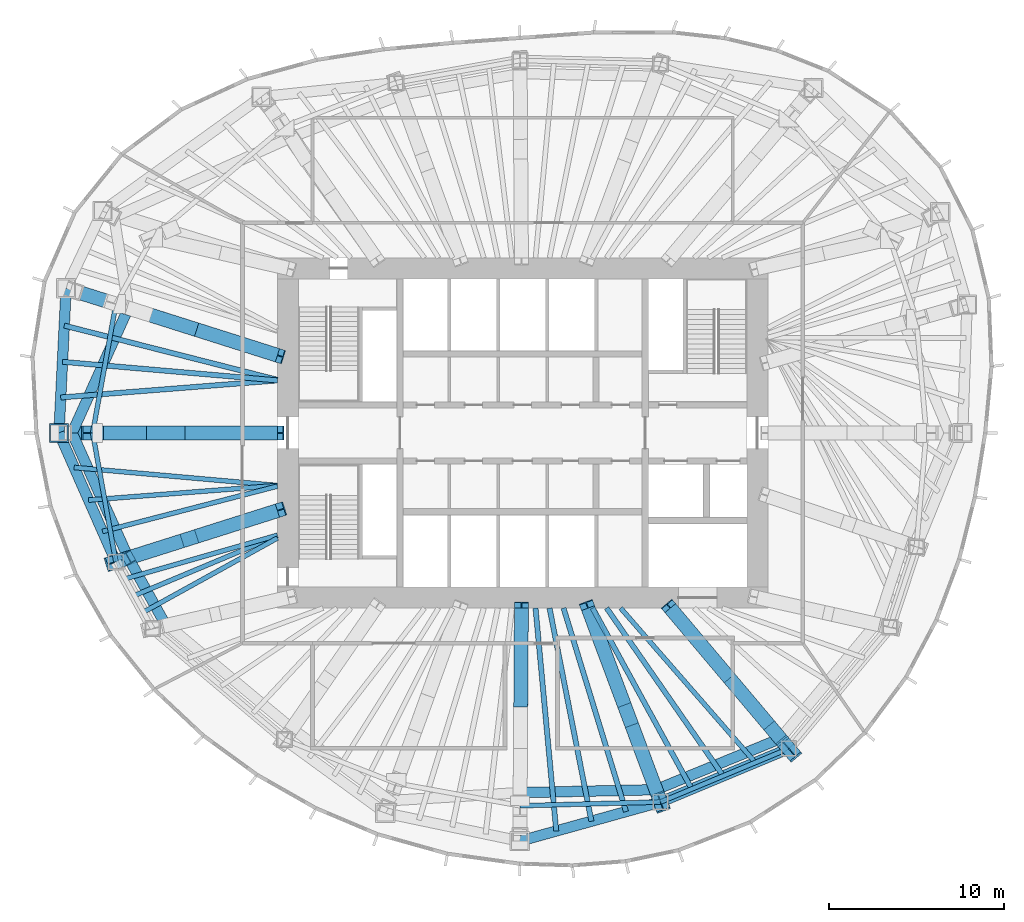
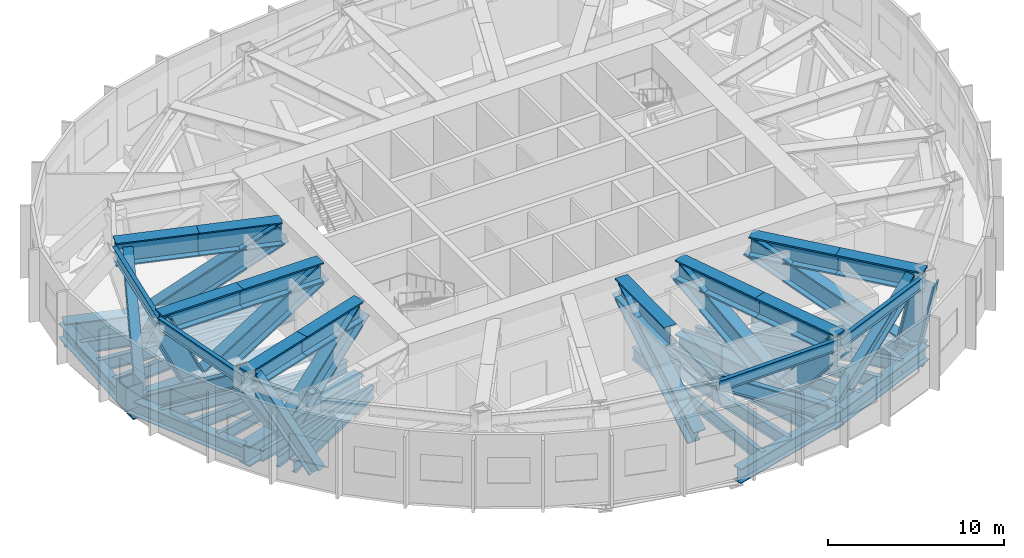
# One storey, part 2 of 11: 36 members, 19 beams.
"""IFC4 building model written with IfcOpenShell, lengths in metres."""

from ifc_helpers import new_model, si_unit, direction, frame, origin, origin_2d, place, context, subcontext, project, spatial, hollow_rectangle, i_section, extrude, material, material_profile, profile_set, type_object, element, save


model = new_model("IFC4")

# Units and contexts
model_context = context("Model", 3, precision=1e-05, world=origin(), true_north=direction((0.0, 1.0)))
body_context = subcontext(model_context, "Body", "Model", "MODEL_VIEW")
ifc_project = project(units=[si_unit("LENGTHUNIT", "METRE"), si_unit("AREAUNIT", "SQUARE_METRE"), si_unit("VOLUMEUNIT", "CUBIC_METRE"), si_unit("PLANEANGLEUNIT", "RADIAN"), si_unit("MASSUNIT", "GRAM", prefix="KILO")], contexts=[model_context])

# Site, building, storey
site_placement = place(None, origin())
site = spatial("IfcSite", under=ifc_project, at=site_placement, CompositionType="ELEMENT")
building_placement = place(site_placement, origin())
building = spatial("IfcBuilding", under=site, at=building_placement, Name="Ghaith Harvest Tower", CompositionType="ELEMENT")
storey_placement = place(building_placement, frame((0.0, 0.0, 266.199951171875)))
storey = spatial("IfcBuildingStorey", under=building, at=storey_placement, Name="L59", CompositionType="ELEMENT", Elevation=266.199951171875)

# Members
ifc_material_1 = material(Name="Steel ASTM A992 Grade 50", Category="steel")
ifc_material_profile_1 = material_profile(ifc_material_1, i_section(OverallWidth=0.26806640625, OverallDepth=0.77001953125, WebThickness=0.015625, FlangeThickness=0.025390625, at=origin_2d()), Name="W760X196")
ifc_profile_set_1 = profile_set([ifc_material_profile_1], Name="Steel ASTM A992 Grade 50")
member_type_1 = type_object("IfcMemberType", Name="BC760-196 W760X196", PredefinedType="CHORD", material=ifc_profile_set_1)
for number, where, z_axis, x_axis, name in (
    (1, (-23.22412109375, 7.360107421875, 4.130126953125), (-0.177296554745, -0.984157473007, 0.0), (0.984157473007, -0.177296554745, 0.0), "Belt truss BT10 top chord"),
    (2, (-24.550048828125, 0.0, 4.130126953125), (0.177296554745, -0.984157473007, 0.0), (0.984157473007, 0.177296554745, 0.0), "Belt truss BT11 top chord"),
):
    element("IfcMember", number, at=place(storey_placement, frame(where, z_axis=z_axis, x_axis=x_axis)), inside=storey, type_object=member_type_1, Name=name, PredefinedType="CHORD", context=body_context, shape_type="SweptSolid", body=[
        extrude(i_section(OverallWidth=0.26806640625, OverallDepth=0.77001953125, WebThickness=0.015625, FlangeThickness=0.025390625, at=origin_2d()), origin(), (0.0, 0.0, 1.0), 7.478515625),
    ])
member_1_placement = place(storey_placement, frame((-0.14599609375, -21.285888671875, 4.130126953125), z_axis=(0.999644979696, 0.02664422206, 0.0), x_axis=(-0.02664422206, 0.999644979696, 0.0)))
element("IfcMember", 3, at=member_1_placement, inside=storey, type_object=member_type_1, Name="Belt truss BT16 top chord", PredefinedType="CHORD", context=body_context, shape_type="SweptSolid", body=[
    extrude(i_section(OverallWidth=0.26806640625, OverallDepth=0.77001953125, WebThickness=0.015625, FlangeThickness=0.025390625, at=origin_2d()), origin(), (0.0, 0.0, 1.0), 8.02685546875),
])
member_2_placement = place(storey_placement, frame((7.8779296875, -21.072021484375, 4.130126953125), z_axis=(0.923119729219, 0.384512633766, 0.0), x_axis=(-0.384512633766, 0.923119729219, 0.0)))
element("IfcMember", 4, at=member_2_placement, inside=storey, type_object=member_type_1, Name="Belt truss BT17 top chord", PredefinedType="CHORD", context=body_context, shape_type="SweptSolid", body=[
    extrude(i_section(OverallWidth=0.26806640625, OverallDepth=0.77001953125, WebThickness=0.015625, FlangeThickness=0.025390625, at=origin_2d()), origin(), (0.0, 0.0, 1.0), 7.9296875),
])
ifc_material_2 = material(Name="Steel S460", Category="steel")
ifc_material_profile_2 = material_profile(ifc_material_2, i_section(OverallWidth=0.60009765625, OverallDepth=0.89990234375, WebThickness=0.031982421875, FlangeThickness=0.06396484375, at=origin_2d()), Name="PG900X600X32X64")
ifc_profile_set_2 = profile_set([ifc_material_profile_2], Name="Steel S460")
member_type_2 = type_object("IfcMemberType", Name="BD900 PG900X600X32X64", PredefinedType="BRACE", material=ifc_profile_set_2)
for number, where, z_axis, x_axis, name in (
    (5, (-22.509033203125, 7.13330078125, 4.130126953125), (-0.343722880296, -0.76238481109, -0.548291876084), (0.911630542756, -0.411010648906, 0.0), "Belt truss BT10 diagonal"),
    (6, (-25.72509765625, 0.0, -1.0), (0.343722880296, -0.76238481109, 0.548291876084), (0.911630542756, 0.411010648906, 0.0), "Belt truss BT11 diagonal"),
):
    element("IfcMember", number, at=place(storey_placement, frame(where, z_axis=z_axis, x_axis=x_axis)), inside=storey, type_object=member_type_2, Name=name, PredefinedType="BRACE", context=body_context, shape_type="SweptSolid", body=[
        extrude(i_section(OverallWidth=0.60009765625, OverallDepth=0.89990234375, WebThickness=0.031982421875, FlangeThickness=0.06396484375, at=origin_2d()), origin(), (0.0, 0.0, 1.0), 9.3564453125),
    ])
member_3_placement = place(storey_placement, frame((-22.509033203125, -7.13330078125, 4.130126953125), z_axis=(0.308380218027, -0.554679838793, -0.772807814121), x_axis=(0.874006891394, 0.485913525019, 0.0)))
element("IfcMember", 7, at=member_3_placement, inside=storey, type_object=member_type_2, Name="Belt truss BT12 diagonal", PredefinedType="BRACE", context=body_context, shape_type="SweptSolid", body=[
    extrude(i_section(OverallWidth=0.60009765625, OverallDepth=0.89990234375, WebThickness=0.031982421875, FlangeThickness=0.06396484375, at=origin_2d()), origin(), (0.0, 0.0, 1.0), 6.63818359375),
])
member_4_placement = place(storey_placement, frame((-0.140869140625, -20.535888671875, 4.130126953125), z_axis=(0.83393462287, 0.017901901567, -0.551572811784), x_axis=(-0.021461848083, 0.999769668012, 0.0)))
element("IfcMember", 8, at=member_4_placement, inside=storey, type_object=member_type_2, Name="Belt truss BT16 diagonal", PredefinedType="BRACE", context=body_context, shape_type="SweptSolid", body=[
    extrude(i_section(OverallWidth=0.60009765625, OverallDepth=0.89990234375, WebThickness=0.031982421875, FlangeThickness=0.06396484375, at=origin_2d()), origin(), (0.0, 0.0, 1.0), 9.301025390625),
])
member_5_placement = place(storey_placement, frame((7.615478515625, -20.369384765625, -1.0), z_axis=(0.768921934607, 0.316236928811, 0.555655705753), x_axis=(-0.380361049123, 0.924838078969, 0.0)))
element("IfcMember", 9, at=member_5_placement, inside=storey, type_object=member_type_2, Name="Belt truss BT17 diagonal", PredefinedType="BRACE", context=body_context, shape_type="SweptSolid", body=[
    extrude(i_section(OverallWidth=0.60009765625, OverallDepth=0.89990234375, WebThickness=0.031982421875, FlangeThickness=0.06396484375, at=origin_2d()), origin(), (0.0, 0.0, 1.0), 9.232666015625),
])

# Beams
ifc_material_3 = material(Name="Steel S460", Category="steel")
ifc_material_profile_3 = material_profile(ifc_material_3, i_section(OverallWidth=0.60009765625, OverallDepth=1.0, WebThickness=0.02490234375, FlangeThickness=0.050048828125, at=origin_2d()), Name="PG1000X600X25X50")
ifc_profile_set_3 = profile_set([ifc_material_profile_3], Name="Steel S460")
beam_type_1 = type_object("IfcBeamType", Name="EPG1000 PG1000X600X25X50", PredefinedType="SPANDREL", material=ifc_profile_set_3)
beam_1_placement = place(storey_placement, frame((-26.06689453125, 8.260986328125, -0.800048828125), z_axis=(-0.049353148492, -0.998781390863, 0.0), x_axis=(0.998781390863, -0.049353148492, 0.0)))
element("IfcBeam", 10, at=beam_1_placement, inside=storey, type_object=beam_type_1, Name="Edge beam E10 L59", PredefinedType="SPANDREL", context=body_context, shape_type="SweptSolid", body=[
    extrude(i_section(OverallWidth=0.60009765625, OverallDepth=1.0, WebThickness=0.02490234375, FlangeThickness=0.050048828125, at=origin_2d()), origin(), (0.0, 0.0, 1.0), 8.27099609375),
])
beam_2_placement = place(storey_placement, frame((-26.47509765625, 0.0, -0.800048828125), z_axis=(0.404042817399, -0.914740073304, 0.0), x_axis=(0.914740073304, 0.404042817399, 0.0)))
element("IfcBeam", 11, at=beam_2_placement, inside=storey, type_object=beam_type_1, Name="Edge beam E11 L59", PredefinedType="SPANDREL", context=body_context, shape_type="SweptSolid", body=[
    extrude(i_section(OverallWidth=0.60009765625, OverallDepth=1.0, WebThickness=0.02490234375, FlangeThickness=0.050048828125, at=origin_2d()), origin(), (0.0, 0.0, 1.0), 8.046142578125),
])
beam_3_placement = place(storey_placement, frame((-0.158935546875, -23.304931640625, -0.800048828125), z_axis=(0.963504070594, 0.267693679323, 0.0), x_axis=(-0.267693679323, 0.963504070594, 0.0)))
element("IfcBeam", 12, at=beam_3_placement, inside=storey, type_object=beam_type_1, Name="Edge beam E16 L59", PredefinedType="SPANDREL", context=body_context, shape_type="SweptSolid", body=[
    extrude(i_section(OverallWidth=0.60009765625, OverallDepth=1.0, WebThickness=0.02490234375, FlangeThickness=0.050048828125, at=origin_2d()), origin(), (0.0, 0.0, 1.0), 8.34130859375),
])
beam_4_placement = place(storey_placement, frame((7.8779296875, -21.072021484375, -0.800048828125), z_axis=(0.923119729219, 0.384512633766, 0.0), x_axis=(-0.384512633766, 0.923119729219, 0.0)))
element("IfcBeam", 13, at=beam_4_placement, inside=storey, type_object=beam_type_1, Name="Edge beam E17 L59", PredefinedType="SPANDREL", context=body_context, shape_type="SweptSolid", body=[
    extrude(i_section(OverallWidth=0.60009765625, OverallDepth=1.0, WebThickness=0.02490234375, FlangeThickness=0.050048828125, at=origin_2d()), origin(), (0.0, 0.0, 1.0), 7.9296875),
])
ifc_material_4 = material(Name="Steel ASTM A992 Grade 50", Category="steel")
ifc_material_profile_4 = material_profile(ifc_material_4, i_section(OverallWidth=0.26806640625, OverallDepth=0.77001953125, WebThickness=0.015625, FlangeThickness=0.025390625, at=origin_2d()), Name="W760X196")
ifc_profile_set_4 = profile_set([ifc_material_profile_4], Name="Steel ASTM A992 Grade 50")
beam_type_2 = type_object("IfcBeamType", Name="J760-196 W760X196", PredefinedType="JOIST", material=ifc_profile_set_4)
beam_5_placement = place(storey_placement, frame((-14.0, -3.0, -0.68505859375), z_axis=(-0.996073420914, 0.088531012356, 0.0), x_axis=(-0.088531012356, -0.996073420914, 0.0)))
element("IfcBeam", 14, at=beam_5_placement, inside=storey, type_object=beam_type_2, Name="Joist J11.1 L59", PredefinedType="JOIST", context=body_context, shape_type="SweptSolid", body=[
    extrude(i_section(OverallWidth=0.26806640625, OverallDepth=0.77001953125, WebThickness=0.015625, FlangeThickness=0.025390625, at=origin_2d()), origin(), (0.0, 0.0, 1.0), 11.651123046875),
])
beam_6_placement = place(storey_placement, frame((-14.0, -3.0, -0.68505859375), z_axis=(-0.997028799301, -0.077029691443, 0.0), x_axis=(0.077029691443, -0.997028799301, 0.0)))
element("IfcBeam", 15, at=beam_6_placement, inside=storey, type_object=beam_type_2, Name="Joist J11.2 L59", PredefinedType="JOIST", context=body_context, shape_type="SweptSolid", body=[
    extrude(i_section(OverallWidth=0.26806640625, OverallDepth=0.77001953125, WebThickness=0.015625, FlangeThickness=0.025390625, at=origin_2d()), origin(), (0.0, 0.0, 1.0), 10.814208984375),
])
beam_7_placement = place(storey_placement, frame((-14.0, -3.036865234375, -0.68505859375), z_axis=(-0.96812001443, -0.250486801368, 0.0), x_axis=(0.250486801368, -0.96812001443, 0.0)))
element("IfcBeam", 16, at=beam_7_placement, inside=storey, type_object=beam_type_2, Name="Joist J11.3 L59", PredefinedType="JOIST", context=body_context, shape_type="SweptSolid", body=[
    extrude(i_section(OverallWidth=0.26806640625, OverallDepth=0.77001953125, WebThickness=0.015625, FlangeThickness=0.025390625, at=origin_2d()), origin(), (0.0, 0.0, 1.0), 10.32080078125),
])
beam_8_placement = place(storey_placement, frame((-14.0, -5.8369140625, -0.68505859375), z_axis=(-0.961304536785, -0.275487908185, 0.0), x_axis=(0.275487908185, -0.961304536785, 0.0)))
element("IfcBeam", 17, at=beam_8_placement, inside=storey, type_object=beam_type_2, Name="Joist J12.1 L59", PredefinedType="JOIST", context=body_context, shape_type="SweptSolid", body=[
    extrude(i_section(OverallWidth=0.26806640625, OverallDepth=0.77001953125, WebThickness=0.015625, FlangeThickness=0.025390625, at=origin_2d()), origin(), (0.0, 0.0, 1.0), 9.040283203125),
])
beam_9_placement = place(storey_placement, frame((-14.0, -5.862548828125, -0.68505859375), z_axis=(-0.922387515293, -0.386265804377, 0.0), x_axis=(0.386265804377, -0.922387515293, 0.0)))
element("IfcBeam", 18, at=beam_9_placement, inside=storey, type_object=beam_type_2, Name="Joist J12.2 L59", PredefinedType="JOIST", context=body_context, shape_type="SweptSolid", body=[
    extrude(i_section(OverallWidth=0.26806640625, OverallDepth=0.77001953125, WebThickness=0.015625, FlangeThickness=0.025390625, at=origin_2d()), origin(), (0.0, 0.0, 1.0), 8.851318359375),
])
beam_10_placement = place(storey_placement, frame((-14.0, -6.0, -0.68505859375), z_axis=(-0.875125976162, -0.483895159975, 0.0), x_axis=(0.483895159975, -0.875125976162, 0.0)))
element("IfcBeam", 19, at=beam_10_placement, inside=storey, type_object=beam_type_2, Name="Joist J12.3 L59", PredefinedType="JOIST", context=body_context, shape_type="SweptSolid", body=[
    extrude(i_section(OverallWidth=0.26806640625, OverallDepth=0.77001953125, WebThickness=0.015625, FlangeThickness=0.025390625, at=origin_2d()), origin(), (0.0, 0.0, 1.0), 8.73388671875),
])
beam_11_placement = place(storey_placement, frame((5.60009765625, -10.0, -0.68505859375), z_axis=(0.657213934262, -0.753704082921, 0.0), x_axis=(0.753704082921, 0.657213934262, 0.0)))
element("IfcBeam", 20, at=beam_11_placement, inside=storey, type_object=beam_type_2, Name="Joist J17.3 L59", PredefinedType="JOIST", context=body_context, shape_type="SweptSolid", body=[
    extrude(i_section(OverallWidth=0.26806640625, OverallDepth=0.77001953125, WebThickness=0.015625, FlangeThickness=0.025390625, at=origin_2d()), origin(), (0.0, 0.0, 1.0), 11.69970703125),
])
ifc_material_5 = material(Name="Steel ASTM A992 Grade 50", Category="steel")
ifc_material_profile_5 = material_profile(ifc_material_5, i_section(OverallWidth=0.2939453125, OverallDepth=0.85107421875, WebThickness=0.01611328125, FlangeThickness=0.02685546875, at=origin_2d()), Name="W840X226")
ifc_profile_set_5 = profile_set([ifc_material_profile_5], Name="Steel ASTM A992 Grade 50")
beam_type_3 = type_object("IfcBeamType", Name="J840-226 W840X226", PredefinedType="JOIST", material=ifc_profile_set_5)
beam_12_placement = place(storey_placement, frame((-14.0, 3.036865234375, -0.725341796875), z_axis=(-0.969138390714, 0.246517300901, 0.0), x_axis=(-0.246517300901, -0.969138390714, 0.0)))
element("IfcBeam", 21, at=beam_12_placement, inside=storey, type_object=beam_type_3, Name="Joist J10.1 L59", PredefinedType="JOIST", context=body_context, shape_type="SweptSolid", body=[
    extrude(i_section(OverallWidth=0.2939453125, OverallDepth=0.85107421875, WebThickness=0.01611328125, FlangeThickness=0.02685546875, at=origin_2d()), origin(), (0.0, 0.0, 1.0), 12.559814453125),
])
beam_13_placement = place(storey_placement, frame((-14.0, 3.0, -0.725341796875), z_axis=(-0.996265900996, 0.086338024716, 0.0), x_axis=(-0.086338024716, -0.996265900996, 0.0)))
element("IfcBeam", 22, at=beam_13_placement, inside=storey, type_object=beam_type_3, Name="Joist J10.2 L59", PredefinedType="JOIST", context=body_context, shape_type="SweptSolid", body=[
    extrude(i_section(OverallWidth=0.2939453125, OverallDepth=0.85107421875, WebThickness=0.01611328125, FlangeThickness=0.02685546875, at=origin_2d()), origin(), (0.0, 0.0, 1.0), 12.3203125),
])
beam_14_placement = place(storey_placement, frame((-14.0, 3.0, -0.725341796875), z_axis=(-0.996926913586, -0.078337277005, 0.0), x_axis=(0.078337277005, -0.996926913586, 0.0)))
element("IfcBeam", 23, at=beam_14_placement, inside=storey, type_object=beam_type_3, Name="Joist J10.3 L59", PredefinedType="JOIST", context=body_context, shape_type="SweptSolid", body=[
    extrude(i_section(OverallWidth=0.2939453125, OverallDepth=0.85107421875, WebThickness=0.01611328125, FlangeThickness=0.02685546875, at=origin_2d()), origin(), (0.0, 0.0, 1.0), 12.4130859375),
])
beam_15_placement = place(storey_placement, frame((0.73828125, -10.0, -0.725341796875), z_axis=(0.092502263765, -0.99571247416, 0.0), x_axis=(0.99571247416, 0.092502263765, 0.0)))
element("IfcBeam", 24, at=beam_15_placement, inside=storey, type_object=beam_type_3, Name="Joist J16.1 L59", PredefinedType="JOIST", context=body_context, shape_type="SweptSolid", body=[
    extrude(i_section(OverallWidth=0.2939453125, OverallDepth=0.85107421875, WebThickness=0.01611328125, FlangeThickness=0.02685546875, at=origin_2d()), origin(), (0.0, 0.0, 1.0), 12.781982421875),
])
beam_16_placement = place(storey_placement, frame((1.538330078125, -10.0, -0.725341796875), z_axis=(0.192844138057, -0.981229401525, 0.0), x_axis=(0.981229401525, 0.192844138057, 0.0)))
element("IfcBeam", 25, at=beam_16_placement, inside=storey, type_object=beam_type_3, Name="Joist J16.2 L59", PredefinedType="JOIST", context=body_context, shape_type="SweptSolid", body=[
    extrude(i_section(OverallWidth=0.2939453125, OverallDepth=0.85107421875, WebThickness=0.01611328125, FlangeThickness=0.02685546875, at=origin_2d()), origin(), (0.0, 0.0, 1.0), 12.401611328125),
])
beam_17_placement = place(storey_placement, frame((2.33837890625, -10.0, -0.725341796875), z_axis=(0.293384308095, -0.955994585635, 0.0), x_axis=(0.955994585635, 0.293384308095, 0.0)))
element("IfcBeam", 26, at=beam_17_placement, inside=storey, type_object=beam_type_3, Name="Joist J16.3 L59", PredefinedType="JOIST", context=body_context, shape_type="SweptSolid", body=[
    extrude(i_section(OverallWidth=0.2939453125, OverallDepth=0.85107421875, WebThickness=0.01611328125, FlangeThickness=0.02685546875, at=origin_2d()), origin(), (0.0, 0.0, 1.0), 12.1552734375),
])
beam_18_placement = place(storey_placement, frame((4.0, -10.0, -0.725341796875), z_axis=(0.480322595727, -0.877091901704, 0.0), x_axis=(0.877091901704, 0.480322595727, 0.0)))
element("IfcBeam", 27, at=beam_18_placement, inside=storey, type_object=beam_type_3, Name="Joist J17.1 L59", PredefinedType="JOIST", context=body_context, shape_type="SweptSolid", body=[
    extrude(i_section(OverallWidth=0.2939453125, OverallDepth=0.85107421875, WebThickness=0.01611328125, FlangeThickness=0.02685546875, at=origin_2d()), origin(), (0.0, 0.0, 1.0), 11.778564453125),
])
beam_19_placement = place(storey_placement, frame((4.800048828125, -10.0, -0.725341796875), z_axis=(0.570225976326, -0.821487879353, 0.0), x_axis=(0.821487879353, 0.570225976326, 0.0)))
element("IfcBeam", 28, at=beam_19_placement, inside=storey, type_object=beam_type_3, Name="Joist J17.2 L59", PredefinedType="JOIST", context=body_context, shape_type="SweptSolid", body=[
    extrude(i_section(OverallWidth=0.2939453125, OverallDepth=0.85107421875, WebThickness=0.01611328125, FlangeThickness=0.02685546875, at=origin_2d()), origin(), (0.0, 0.0, 1.0), 11.665771484375),
])

# Members
ifc_material_6 = material(Name="Steel S460M", Category="steel")
ifc_material_profile_6 = material_profile(ifc_material_6, hollow_rectangle(XDim=1.10009765625, YDim=1.10009765625, WallThickness=0.080078125, at=origin_2d()), Name="BOX1100X1100X80")
ifc_profile_set_6 = profile_set([ifc_material_profile_6], Name="Steel S460M")
member_type_3 = type_object("IfcMemberType", Name="KN1 BOX1100X1100X80", PredefinedType="USERDEFINED", material=ifc_profile_set_6)
member_6_placement = place(storey_placement, frame((-26.47509765625, 0.0, -0.77490234375), z_axis=(0.0, 0.0, 1.0), x_axis=(1.0, 0.0, 0.0)))
element("IfcMember", 29, at=member_6_placement, inside=storey, type_object=member_type_3, Name="Raked column kink node C11 base L59", ObjectType="KINK NODE", PredefinedType="USERDEFINED", context=body_context, shape_type="SweptSolid", body=[
    extrude(hollow_rectangle(XDim=1.10009765625, YDim=1.10009765625, WallThickness=0.080078125, at=origin_2d()), origin(), (0.0, 0.0, 1.0), 1.550048828125),
])
ifc_material_7 = material(Name="Steel S460", Category="steel")
ifc_material_profile_7 = material_profile(ifc_material_7, i_section(OverallWidth=0.800048828125, OverallDepth=1.39990234375, WebThickness=0.050048828125, FlangeThickness=0.10009765625, at=origin_2d()), Name="PG1400X800X50X100")
ifc_profile_set_7 = profile_set([ifc_material_profile_7], Name="Steel S460")
member_type_4 = type_object("IfcMemberType", Name="OC1400 PG1400X800X50X100", PredefinedType="CHORD", material=ifc_profile_set_7)
member_7_placement = place(storey_placement, frame((-14.0, 0.0, -1.0), z_axis=(-1.0, 0.0, 0.0), x_axis=(0.0, -1.0, 0.0)))
element("IfcMember", 30, at=member_7_placement, inside=storey, type_object=member_type_4, Name="Outrigger truss OT11 bottom chord", PredefinedType="CHORD", context=body_context, shape_type="SweptSolid", body=[
    extrude(i_section(OverallWidth=0.800048828125, OverallDepth=1.39990234375, WebThickness=0.050048828125, FlangeThickness=0.10009765625, at=origin_2d()), origin(), (0.0, 0.0, 1.0), 12.47509765625),
])
member_8_placement = place(storey_placement, frame((-14.0, 0.0, 4.130126953125), z_axis=(-1.0, 0.0, 0.0), x_axis=(0.0, -1.0, 0.0)))
element("IfcMember", 31, at=member_8_placement, inside=storey, type_object=member_type_4, Name="Outrigger truss OT11 top chord 1", PredefinedType="CHORD", context=body_context, shape_type="SweptSolid", body=[
    extrude(i_section(OverallWidth=0.800048828125, OverallDepth=1.39990234375, WebThickness=0.050048828125, FlangeThickness=0.10009765625, at=origin_2d()), origin(), (0.0, 0.0, 1.0), 5.27490234375),
])
member_9_placement = place(storey_placement, frame((-19.27490234375, 0.0, 4.130126953125), z_axis=(-1.0, 0.0, 0.0), x_axis=(0.0, -1.0, 0.0)))
element("IfcMember", 32, at=member_9_placement, inside=storey, type_object=member_type_4, Name="Outrigger truss OT11 top chord 2", PredefinedType="CHORD", context=body_context, shape_type="SweptSolid", body=[
    extrude(i_section(OverallWidth=0.800048828125, OverallDepth=1.39990234375, WebThickness=0.050048828125, FlangeThickness=0.10009765625, at=origin_2d()), origin(), (0.0, 0.0, 1.0), 5.275146484375),
])
member_10_placement = place(storey_placement, frame((-14.0, -4.43701171875, -1.0), z_axis=(-0.953279028151, -0.302091202267, 0.0), x_axis=(0.302091202267, -0.953279028151, 0.0)))
element("IfcMember", 33, at=member_10_placement, inside=storey, type_object=member_type_4, Name="Outrigger truss OT12 bottom chord", PredefinedType="CHORD", context=body_context, shape_type="SweptSolid", body=[
    extrude(i_section(OverallWidth=0.800048828125, OverallDepth=1.39990234375, WebThickness=0.050048828125, FlangeThickness=0.10009765625, at=origin_2d()), origin(), (0.0, 0.0, 1.0), 9.67626953125),
])
for number, where, z_axis, x_axis, name in (
    (34, (-14.0, -4.43701171875, 4.130126953125), (-0.953286293894, -0.30206827353, 0.0), (0.30206827353, -0.953286293894, 0.0), "Outrigger truss OT12 top chord 1"),
    (35, (-18.612060546875, -5.8984375, 4.130126953125), (-0.953271761967, -0.30211413048, 0.0), (0.30211413048, -0.953271761967, 0.0), "Outrigger truss OT12 top chord 2"),
):
    element("IfcMember", number, at=place(storey_placement, frame(where, z_axis=z_axis, x_axis=x_axis)), inside=storey, type_object=member_type_4, Name=name, PredefinedType="CHORD", context=body_context, shape_type="SweptSolid", body=[
        extrude(i_section(OverallWidth=0.800048828125, OverallDepth=1.39990234375, WebThickness=0.050048828125, FlangeThickness=0.10009765625, at=origin_2d()), origin(), (0.0, 0.0, 1.0), 4.838134765625),
    ])
member_11_placement = place(storey_placement, frame((-0.068359375, -10.0, 4.130126953125), z_axis=(-0.006878785074, -0.999976340878, 0.0), x_axis=(0.999976340878, -0.006878785074, 0.0)))
element("IfcMember", 36, at=member_11_placement, inside=storey, type_object=member_type_4, Name="Outrigger truss OT16 top chord 1", PredefinedType="CHORD", context=body_context, shape_type="SweptSolid", body=[
    extrude(i_section(OverallWidth=0.800048828125, OverallDepth=1.39990234375, WebThickness=0.050048828125, FlangeThickness=0.10009765625, at=origin_2d()), origin(), (0.0, 0.0, 1.0), 5.643310546875),
])
member_12_placement = place(storey_placement, frame((3.73828125, -10.0, -1.0), z_axis=(0.350206582147, -0.936672488024, 0.0), x_axis=(0.936672488024, 0.350206582147, 0.0)))
element("IfcMember", 37, at=member_12_placement, inside=storey, type_object=member_type_4, Name="Outrigger truss OT17 bottom chord", PredefinedType="CHORD", context=body_context, shape_type="SweptSolid", body=[
    extrude(i_section(OverallWidth=0.800048828125, OverallDepth=1.39990234375, WebThickness=0.050048828125, FlangeThickness=0.10009765625, at=origin_2d()), origin(), (0.0, 0.0, 1.0), 11.820556640625),
])
member_13_placement = place(storey_placement, frame((3.73828125, -10.0, 4.130126953125), z_axis=(0.350213357326, -0.936669954867, 0.0), x_axis=(0.936669954867, 0.350213357326, 0.0)))
element("IfcMember", 38, at=member_13_placement, inside=storey, type_object=member_type_4, Name="Outrigger truss OT17 top chord 1", PredefinedType="CHORD", context=body_context, shape_type="SweptSolid", body=[
    extrude(i_section(OverallWidth=0.800048828125, OverallDepth=1.39990234375, WebThickness=0.050048828125, FlangeThickness=0.10009765625, at=origin_2d()), origin(), (0.0, 0.0, 1.0), 5.91015625),
])
member_14_placement = place(storey_placement, frame((5.80810546875, -15.535888671875, 4.130126953125), z_axis=(0.350199807211, -0.936675021034, 0.0), x_axis=(0.936675021034, 0.350199807211, 0.0)))
element("IfcMember", 39, at=member_14_placement, inside=storey, type_object=member_type_4, Name="Outrigger truss OT17 top chord 2", PredefinedType="CHORD", context=body_context, shape_type="SweptSolid", body=[
    extrude(i_section(OverallWidth=0.800048828125, OverallDepth=1.39990234375, WebThickness=0.050048828125, FlangeThickness=0.10009765625, at=origin_2d()), origin(), (0.0, 0.0, 1.0), 5.910400390625),
])
member_15_placement = place(storey_placement, frame((8.4326171875, -10.0, -1.0), z_axis=(0.644649240595, -0.764478486682, 0.0), x_axis=(0.764478486682, 0.644649240595, 0.0)))
element("IfcMember", 40, at=member_15_placement, inside=storey, type_object=member_type_4, Name="Outrigger truss OT18 bottom chord", PredefinedType="CHORD", context=body_context, shape_type="SweptSolid", body=[
    extrude(i_section(OverallWidth=0.800048828125, OverallDepth=1.39990234375, WebThickness=0.050048828125, FlangeThickness=0.10009765625, at=origin_2d()), origin(), (0.0, 0.0, 1.0), 10.49462890625),
])
for number, where, z_axis, x_axis, name in (
    (41, (8.4326171875, -10.0, 4.130126953125), (0.644662835997, -0.764467022104, 0.0), (0.764467022104, 0.644662835997, 0.0), "Outrigger truss OT18 top chord 1"),
    (42, (11.8154296875, -14.011474609375, 4.130126953125), (0.644635644582, -0.764489951363, 0.0), (0.764489951363, 0.644635644582, 0.0), "Outrigger truss OT18 top chord 2"),
):
    element("IfcMember", number, at=place(storey_placement, frame(where, z_axis=z_axis, x_axis=x_axis)), inside=storey, type_object=member_type_4, Name=name, PredefinedType="CHORD", context=body_context, shape_type="SweptSolid", body=[
        extrude(i_section(OverallWidth=0.800048828125, OverallDepth=1.39990234375, WebThickness=0.050048828125, FlangeThickness=0.10009765625, at=origin_2d()), origin(), (0.0, 0.0, 1.0), 5.247314453125),
    ])
ifc_material_8 = material(Name="Steel S460", Category="steel")
ifc_material_profile_8 = material_profile(ifc_material_8, i_section(OverallWidth=0.800048828125, OverallDepth=1.60009765625, WebThickness=0.0400390625, FlangeThickness=0.080078125, at=origin_2d()), Name="PG1600X800X40X80")
ifc_profile_set_8 = profile_set([ifc_material_profile_8], Name="Steel S460")
member_type_5 = type_object("IfcMemberType", Name="OC1600 PG1600X800X40X80", PredefinedType="CHORD", material=ifc_profile_set_8)
member_16_placement = place(storey_placement, frame((-14.0, 4.43701171875, -1.0), z_axis=(-0.953278738841, 0.302092115212, 0.0), x_axis=(-0.302092115212, -0.953278738841, 0.0)))
element("IfcMember", 43, at=member_16_placement, inside=storey, type_object=member_type_5, Name="Outrigger truss OT10 bottom chord", PredefinedType="CHORD", context=body_context, shape_type="SweptSolid", body=[
    extrude(i_section(OverallWidth=0.800048828125, OverallDepth=1.60009765625, WebThickness=0.0400390625, FlangeThickness=0.080078125, at=origin_2d()), origin(), (0.0, 0.0, 1.0), 12.658203125),
])
for number, where, z_axis, x_axis, name in (
    (44, (-14.0, 4.43701171875, 4.130126953125), (-0.953286293894, 0.30206827353, 0.0), (-0.30206827353, -0.953286293894, 0.0), "Outrigger truss OT10 top chord 1"),
    (45, (-18.612060546875, 5.8984375, 4.130126953125), (-0.953271761967, 0.30211413048, 0.0), (-0.30211413048, -0.953271761967, 0.0), "Outrigger truss OT10 top chord 2"),
):
    element("IfcMember", number, at=place(storey_placement, frame(where, z_axis=z_axis, x_axis=x_axis)), inside=storey, type_object=member_type_5, Name=name, PredefinedType="CHORD", context=body_context, shape_type="SweptSolid", body=[
        extrude(i_section(OverallWidth=0.800048828125, OverallDepth=1.60009765625, WebThickness=0.0400390625, FlangeThickness=0.080078125, at=origin_2d()), origin(), (0.0, 0.0, 1.0), 4.838134765625),
    ])
ifc_material_9 = material(Name="Steel S460", Category="steel")
ifc_material_profile_9 = material_profile(ifc_material_9, i_section(OverallWidth=0.800048828125, OverallDepth=1.39990234375, WebThickness=0.050048828125, FlangeThickness=0.10009765625, at=origin_2d()), Name="PG1400X800X50X100")
ifc_profile_set_9 = profile_set([ifc_material_profile_9], Name="Steel S460")
member_type_6 = type_object("IfcMemberType", Name="OD1400 PG1400X800X50X100", PredefinedType="BRACE", material=ifc_profile_set_9)
member_17_placement = place(storey_placement, frame((-14.0, 4.43701171875, 4.130126953125), z_axis=(-0.808922832248, 0.256346479756, -0.529084429733), x_axis=(-0.302092608934, -0.953278582382, 0.0)))
element("IfcMember", 46, at=member_17_placement, inside=storey, type_object=member_type_6, Name="Outrigger truss OT10 diagonal 1", PredefinedType="BRACE", context=body_context, shape_type="SweptSolid", body=[
    extrude(i_section(OverallWidth=0.800048828125, OverallDepth=1.39990234375, WebThickness=0.050048828125, FlangeThickness=0.10009765625, at=origin_2d()), origin(), (0.0, 0.0, 1.0), 9.6962890625),
])
member_18_placement = place(storey_placement, frame((-14.0, 0.0, 4.130126953125), z_axis=(-0.845078132233, 0.0, -0.534642825092), x_axis=(0.0, -1.0, 0.0)))
element("IfcMember", 47, at=member_18_placement, inside=storey, type_object=member_type_6, Name="Outrigger truss OT11 diagonal 1", PredefinedType="BRACE", context=body_context, shape_type="SweptSolid", body=[
    extrude(i_section(OverallWidth=0.800048828125, OverallDepth=1.39990234375, WebThickness=0.050048828125, FlangeThickness=0.10009765625, at=origin_2d()), origin(), (0.0, 0.0, 1.0), 9.595458984375),
])
member_19_placement = place(storey_placement, frame((-22.10888671875, 0.0, -1.0), z_axis=(-0.429681686233, 0.0, 0.902980425323), x_axis=(0.0, -1.0, 0.0)))
element("IfcMember", 48, at=member_19_placement, inside=storey, type_object=member_type_6, Name="Outrigger truss OT11 diagonal 2", PredefinedType="BRACE", context=body_context, shape_type="SweptSolid", body=[
    extrude(i_section(OverallWidth=0.800048828125, OverallDepth=1.39990234375, WebThickness=0.050048828125, FlangeThickness=0.10009765625, at=origin_2d()), origin(), (0.0, 0.0, 1.0), 5.681396484375),
])
member_20_placement = place(storey_placement, frame((-14.0, -4.43701171875, 4.130126953125), z_axis=(-0.738707229299, -0.234083380503, -0.632073255528), x_axis=(0.302078681998, -0.953282995696, 0.0)))
element("IfcMember", 49, at=member_20_placement, inside=storey, type_object=member_type_6, Name="Outrigger truss OT12 diagonal 1", PredefinedType="BRACE", context=body_context, shape_type="SweptSolid", body=[
    extrude(i_section(OverallWidth=0.800048828125, OverallDepth=1.39990234375, WebThickness=0.050048828125, FlangeThickness=0.10009765625, at=origin_2d()), origin(), (0.0, 0.0, 1.0), 8.116455078125),
])
member_21_placement = place(storey_placement, frame((-19.99560546875, -6.3369140625, -1.0), z_axis=(-0.525198417508, -0.166447865077, 0.834542827216), x_axis=(0.302114452969, -0.953271659763, 0.0)))
element("IfcMember", 50, at=member_21_placement, inside=storey, type_object=member_type_6, Name="Outrigger truss OT12 diagonal 2", PredefinedType="BRACE", context=body_context, shape_type="SweptSolid", body=[
    extrude(i_section(OverallWidth=0.800048828125, OverallDepth=1.39990234375, WebThickness=0.050048828125, FlangeThickness=0.10009765625, at=origin_2d()), origin(), (0.0, 0.0, 1.0), 6.147216796875),
])
member_22_placement = place(storey_placement, frame((-0.068359375, -10.0, 4.130126953125), z_axis=(-0.005851319112, -0.860046792197, -0.510181612072), x_axis=(0.99997685707, -0.006803331806, 0.0)))
element("IfcMember", 51, at=member_22_placement, inside=storey, type_object=member_type_6, Name="Outrigger truss OT16 diagonal 1", PredefinedType="BRACE", context=body_context, shape_type="SweptSolid", body=[
    extrude(i_section(OverallWidth=0.800048828125, OverallDepth=1.39990234375, WebThickness=0.050048828125, FlangeThickness=0.10009765625, at=origin_2d()), origin(), (0.0, 0.0, 1.0), 10.055419921875),
])
member_23_placement = place(storey_placement, frame((3.73828125, -10.0, 4.130126953125), z_axis=(0.291267115447, -0.778984941857, -0.555289048892), x_axis=(0.936665649404, 0.35022487237, 0.0)))
element("IfcMember", 52, at=member_23_placement, inside=storey, type_object=member_type_6, Name="Outrigger truss OT17 diagonal 1", PredefinedType="BRACE", context=body_context, shape_type="SweptSolid", body=[
    extrude(i_section(OverallWidth=0.800048828125, OverallDepth=1.39990234375, WebThickness=0.050048828125, FlangeThickness=0.10009765625, at=origin_2d()), origin(), (0.0, 0.0, 1.0), 9.23876953125),
])
member_24_placement = place(storey_placement, frame((6.42919921875, -17.19677734375, -1.0), z_axis=(0.219821406555, -0.588005592559, 0.77841375395), x_axis=(0.936685187451, 0.35017261402, 0.0)))
element("IfcMember", 53, at=member_24_placement, inside=storey, type_object=member_type_6, Name="Outrigger truss OT17 diagonal 2", PredefinedType="BRACE", context=body_context, shape_type="SweptSolid", body=[
    extrude(i_section(OverallWidth=0.800048828125, OverallDepth=1.39990234375, WebThickness=0.050048828125, FlangeThickness=0.10009765625, at=origin_2d()), origin(), (0.0, 0.0, 1.0), 6.590576171875),
])
member_25_placement = place(storey_placement, frame((8.4326171875, -10.0, 4.130126953125), z_axis=(0.566483314616, -0.671784703812, -0.477286042102), x_axis=(0.764479361182, 0.644648203539, 0.0)))
element("IfcMember", 54, at=member_25_placement, inside=storey, type_object=member_type_6, Name="Outrigger truss OT18 diagonal 1", PredefinedType="BRACE", context=body_context, shape_type="SweptSolid", body=[
    extrude(i_section(OverallWidth=0.800048828125, OverallDepth=1.39990234375, WebThickness=0.050048828125, FlangeThickness=0.10009765625, at=origin_2d()), origin(), (0.0, 0.0, 1.0), 10.74853515625),
])
member_26_placement = place(storey_placement, frame((14.521484375, -17.220703125, -1.0), z_axis=(0.12919539475, -0.153206808787, 0.979712316814), x_axis=(0.764470615676, 0.644658574571, 0.0)))
element("IfcMember", 55, at=member_26_placement, inside=storey, type_object=member_type_6, Name="Outrigger truss OT18 diagonal 2", PredefinedType="BRACE", context=body_context, shape_type="SweptSolid", body=[
    extrude(i_section(OverallWidth=0.800048828125, OverallDepth=1.39990234375, WebThickness=0.050048828125, FlangeThickness=0.10009765625, at=origin_2d()), origin(), (0.0, 0.0, 1.0), 5.236328125),
])

save(model, "model.ifc")
